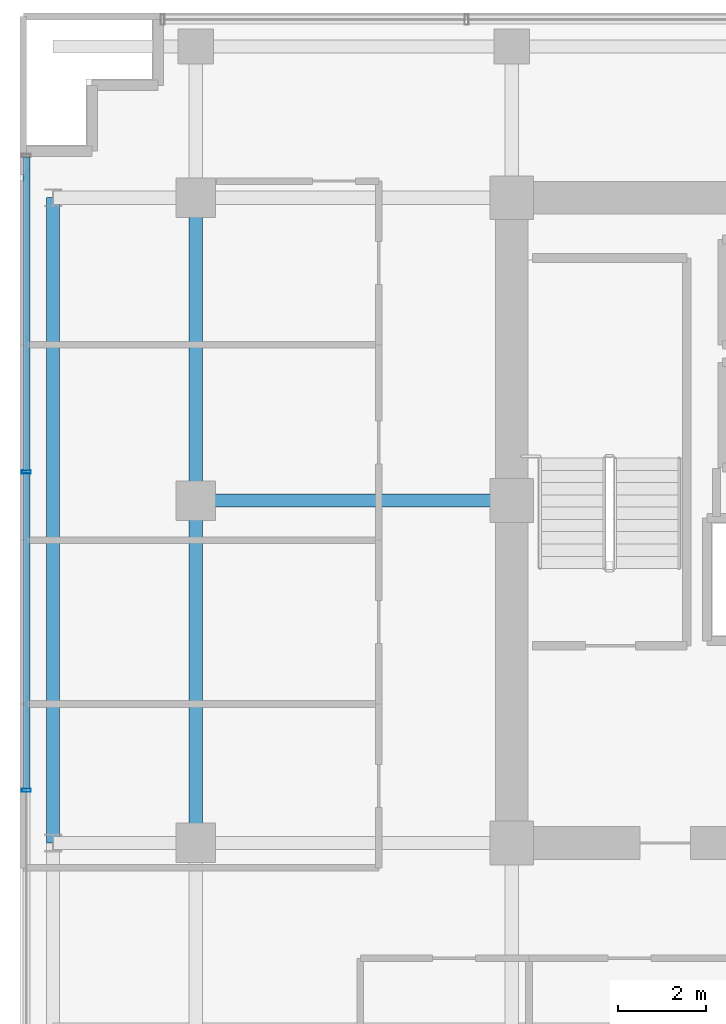
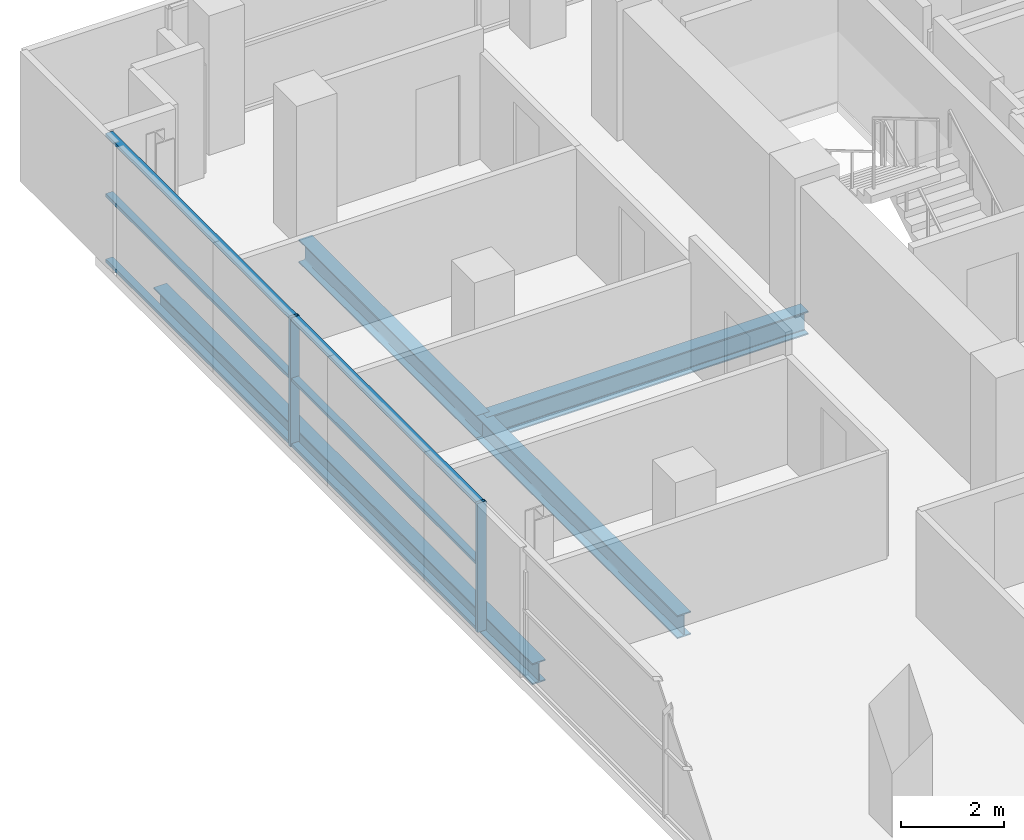
# One storey, part 9 of 24: 8 members, 4 beams, 1 element without a shape of its own.
"""IFC4 building model written with IfcOpenShell, lengths in metres."""

from ifc_helpers import new_model, si_unit, direction, frame, origin, origin_2d, place, context, subcontext, project, spatial, hollow_rectangle, i_section, extrude, source, transform, mapped, material, layer, layer_set, material_profile, profile_set, type_object, element, aggregate, save


model = new_model("IFC4")

# Units and contexts
model_context = context("Model", 3, precision=1e-05, world=origin(), true_north=direction((0.0, 1.0)))
body_context = subcontext(model_context, "Body", "Model", "MODEL_VIEW")
ifc_project = project(units=[si_unit("LENGTHUNIT", "METRE"), si_unit("AREAUNIT", "SQUARE_METRE"), si_unit("VOLUMEUNIT", "CUBIC_METRE"), si_unit("PLANEANGLEUNIT", "RADIAN"), si_unit("MASSUNIT", "GRAM", prefix="KILO")], contexts=[model_context])

# Site, building, storey
site_placement = place(None, origin())
site = spatial("IfcSite", under=ifc_project, at=site_placement, CompositionType="ELEMENT")
building_placement = place(site_placement, origin())
building = spatial("IfcBuilding", under=site, at=building_placement, Name="Zarnakvel Exchange Tower", CompositionType="ELEMENT")
storey_placement = place(building_placement, frame((0.0, 0.0, 119.800048828125)))
storey = spatial("IfcBuildingStorey", under=building, at=storey_placement, Name="L33", CompositionType="ELEMENT", Elevation=119.800048828125)

# Beams
ifc_material_1 = material(Name="Steel S355", Category="steel")
ifc_material_profile_1 = material_profile(ifc_material_1, i_section(OverallWidth=0.300048828125, OverallDepth=0.550048828125, WebThickness=0.014892578125, FlangeThickness=0.029052734375, FilletRadius=0.027099609375, at=origin_2d()))
ifc_profile_set_1 = profile_set([ifc_material_profile_1], Name="Steel S355")
beam_type_1 = type_object("IfcBeamType", Name="G-05", PredefinedType="BEAM", material=ifc_profile_set_1)
beam_1_placement = place(storey_placement, frame((-21.60009765625, 6.60009765625, -0.5), z_axis=(1.0, 0.0, 0.0), x_axis=(0.0, 1.0, 0.0)))
element("IfcBeam", 1, at=beam_1_placement, inside=storey, type_object=beam_type_1, Name="L33 Tower E-W Frame Beam", PredefinedType="BEAM", context=body_context, shape_type="SweptSolid", body=[
    extrude(i_section(OverallWidth=0.300048828125, OverallDepth=0.550048828125, WebThickness=0.014892578125, FlangeThickness=0.029052734375, FilletRadius=0.027099609375, at=origin_2d()), origin(), (0.0, 0.0, 1.0), 7.2001953125),
])
beam_2_placement = place(storey_placement, frame((-21.60009765625, -1.199951171875, -0.5), z_axis=(0.0, 1.0, 0.0), x_axis=(-1.0, 0.0, 0.0)))
element("IfcBeam", 2, at=beam_2_placement, inside=storey, type_object=beam_type_1, Name="L33 Tower N-S Frame Beam", PredefinedType="BEAM", context=body_context, shape_type="SweptSolid", body=[
    extrude(i_section(OverallWidth=0.300048828125, OverallDepth=0.550048828125, WebThickness=0.014892578125, FlangeThickness=0.029052734375, FilletRadius=0.027099609375, at=origin_2d()), origin(), (0.0, 0.0, 1.0), 7.800048828125),
])
beam_3_placement = place(storey_placement, frame((-21.60009765625, 6.60009765625, -0.5), z_axis=(0.0, 1.0, 0.0), x_axis=(-1.0, 0.0, 0.0)))
element("IfcBeam", 3, at=beam_3_placement, inside=storey, type_object=beam_type_1, Name="L33 Tower N-S Frame Beam", PredefinedType="BEAM", context=body_context, shape_type="SweptSolid", body=[
    extrude(i_section(OverallWidth=0.300048828125, OverallDepth=0.550048828125, WebThickness=0.014892578125, FlangeThickness=0.029052734375, FilletRadius=0.027099609375, at=origin_2d()), origin(), (0.0, 0.0, 1.0), 6.89990234375),
])
ifc_material_profile_2 = material_profile(ifc_material_1, i_section(OverallWidth=0.300048828125, OverallDepth=0.5, WebThickness=0.014404296875, FlangeThickness=0.028076171875, FilletRadius=0.027099609375, at=origin_2d()))
ifc_profile_set_2 = profile_set([ifc_material_profile_2], Name="Steel S355")
beam_type_2 = type_object("IfcBeamType", Name="SP-02", PredefinedType="SPANDREL", material=ifc_profile_set_2)
beam_4_placement = place(storey_placement, frame((-24.85009765625, -1.199951171875, -0.47509765625), z_axis=(0.0, 1.0, 0.0), x_axis=(-1.0, 0.0, 0.0)))
element("IfcBeam", 4, at=beam_4_placement, inside=storey, type_object=beam_type_2, Name="L33 Tower N-S Frame Beam", PredefinedType="SPANDREL", context=body_context, shape_type="SweptSolid", body=[
    extrude(i_section(OverallWidth=0.300048828125, OverallDepth=0.5, WebThickness=0.014404296875, FlangeThickness=0.028076171875, FilletRadius=0.027099609375, at=origin_2d()), origin(), (0.0, 0.0, 1.0), 14.699951171875),
])

# Curtain wall, members
ifc_material_2 = material(Name="Architectural Bronze Anodised Aluminium", Category="aluminium")
ifc_layer = layer(ifc_material_2, 0.199951171875)
ifc_layer_set = layer_set([ifc_layer], Name="Architectural Bronze Anodised Aluminium")
curtain_wall_type = type_object("IfcCurtainWallType", Name="CW-04", PredefinedType="NOTDEFINED", material=ifc_layer_set)
curtain_wall_placement = place(storey_placement, origin())
curtain_wall = element("IfcCurtainWall", 5, at=curtain_wall_placement, inside=storey, type_object=curtain_wall_type, Name="L33 Curtain Wall CW-L33-W1 (CW-04)", PredefinedType="NOTDEFINED")
ifc_material_profile_3 = material_profile(ifc_material_2, hollow_rectangle(XDim=0.199951171875, YDim=0.074951171875, WallThickness=0.0048828125, at=origin_2d()))
ifc_profile_set_3 = profile_set([ifc_material_profile_3], Name="Architectural Bronze Anodised Aluminium")
member_type_1 = type_object("IfcMemberType", Name="CWM-04", PredefinedType="MULLION", material=ifc_profile_set_3)
shared_shape_1 = source(origin(), body_context, "Body", "SweptSolid", [
    extrude(hollow_rectangle(XDim=0.199951171875, YDim=0.074951171875, WallThickness=0.0048828125, at=origin_2d()), origin(), (0.0, 0.0, 1.0), 3.054931640625),
])
member_1_placement = place(storey_placement, frame((-25.4599609375, 0.0, 0.0), z_axis=(0.0, 0.0, 1.0), x_axis=(-1.0, 0.0, 0.0)))
member_1 = element("IfcMember", 6, at=member_1_placement, type_object=member_type_1, Name="CW-04 mullion 3", PredefinedType="MULLION", context=body_context, shape_type="MappedRepresentation", body=[
    mapped(shared_shape_1, transform((0.0, 0.0, 0.0), x_axis=(1.0, 0.0, 0.0), y_axis=(0.0, 1.0, 0.0), z_axis=(0.0, 0.0, 1.0), scale=1.0)),
])
member_2_placement = place(storey_placement, frame((-25.4599609375, 7.25, 0.0), z_axis=(0.0, 0.0, 1.0), x_axis=(-1.0, 0.0, 0.0)))
member_2 = element("IfcMember", 7, at=member_2_placement, type_object=member_type_1, Name="CW-04 mullion 4", PredefinedType="MULLION", context=body_context, shape_type="MappedRepresentation", body=[
    mapped(shared_shape_1, transform((0.0, 0.0, 0.0), x_axis=(1.0, 0.0, 0.0), y_axis=(0.0, 1.0, 0.0), z_axis=(0.0, 0.0, 1.0), scale=1.0)),
])
ifc_material_profile_4 = material_profile(ifc_material_2, hollow_rectangle(XDim=0.159912109375, YDim=0.074951171875, WallThickness=0.00390625, at=origin_2d()))
ifc_profile_set_4 = profile_set([ifc_material_profile_4], Name="Architectural Bronze Anodised Aluminium")
member_type_2 = type_object("IfcMemberType", Name="CWT-04", PredefinedType="USERDEFINED", material=ifc_profile_set_4)
shared_shape_2 = source(origin(), body_context, "Body", "SweptSolid", [
    extrude(hollow_rectangle(XDim=0.159912109375, YDim=0.074951171875, WallThickness=0.00390625, at=origin_2d()), origin(), (0.0, 0.0, 1.0), 7.137451171875),
])
member_3_placement = place(storey_placement, frame((-25.4599609375, 7.28759765625, 0.037353515625), z_axis=(0.0, 1.0, 0.0), x_axis=(-1.0, 0.0, 0.0)))
member_3 = element("IfcMember", 8, at=member_3_placement, type_object=member_type_2, Name="CW-04 transom 4.1", ObjectType="TRANSOM", PredefinedType="USERDEFINED", context=body_context, shape_type="MappedRepresentation", body=[
    mapped(shared_shape_2, transform((0.0, 0.0, 0.0), x_axis=(1.0, 0.0, 0.0), y_axis=(0.0, 1.0, 0.0), z_axis=(0.0, 0.0, 1.0), scale=1.0)),
])
member_4_placement = place(storey_placement, frame((-25.4599609375, 7.28759765625, 1.588623046875), z_axis=(0.0, 1.0, 0.0), x_axis=(-1.0, 0.0, 0.0)))
member_4 = element("IfcMember", 9, at=member_4_placement, type_object=member_type_2, Name="CW-04 transom 4.2", ObjectType="TRANSOM", PredefinedType="USERDEFINED", context=body_context, shape_type="MappedRepresentation", body=[
    mapped(shared_shape_2, transform((0.0, 0.0, 0.0), x_axis=(1.0, 0.0, 0.0), y_axis=(0.0, 1.0, 0.0), z_axis=(0.0, 0.0, 1.0), scale=1.0)),
])
member_5_placement = place(storey_placement, frame((-25.4599609375, 7.28759765625, 3.017333984375), z_axis=(0.0, 1.0, 0.0), x_axis=(-1.0, 0.0, 0.0)))
member_5 = element("IfcMember", 10, at=member_5_placement, type_object=member_type_2, Name="CW-04 transom 4.3", ObjectType="TRANSOM", PredefinedType="USERDEFINED", context=body_context, shape_type="MappedRepresentation", body=[
    mapped(shared_shape_2, transform((0.0, 0.0, 0.0), x_axis=(1.0, 0.0, 0.0), y_axis=(0.0, 1.0, 0.0), z_axis=(0.0, 0.0, 1.0), scale=1.0)),
])
shared_shape_3 = source(origin(), body_context, "Body", "SweptSolid", [
    extrude(hollow_rectangle(XDim=0.159912109375, YDim=0.074951171875, WallThickness=0.00390625, at=origin_2d()), origin(), (0.0, 0.0, 1.0), 7.1748046875),
])
member_6_placement = place(storey_placement, frame((-25.4599609375, 0.03759765625, 0.037353515625), z_axis=(0.0, 1.0, 0.0), x_axis=(-1.0, 0.0, 0.0)))
member_6 = element("IfcMember", 11, at=member_6_placement, type_object=member_type_2, Name="CW-04 transom 3.1", ObjectType="TRANSOM", PredefinedType="USERDEFINED", context=body_context, shape_type="MappedRepresentation", body=[
    mapped(shared_shape_3, transform((0.0, 0.0, 0.0), x_axis=(1.0, 0.0, 0.0), y_axis=(0.0, 1.0, 0.0), z_axis=(0.0, 0.0, 1.0), scale=1.0)),
])
member_7_placement = place(storey_placement, frame((-25.4599609375, 0.03759765625, 1.588623046875), z_axis=(0.0, 1.0, 0.0), x_axis=(-1.0, 0.0, 0.0)))
member_7 = element("IfcMember", 12, at=member_7_placement, type_object=member_type_2, Name="CW-04 transom 3.2", ObjectType="TRANSOM", PredefinedType="USERDEFINED", context=body_context, shape_type="MappedRepresentation", body=[
    mapped(shared_shape_3, transform((0.0, 0.0, 0.0), x_axis=(1.0, 0.0, 0.0), y_axis=(0.0, 1.0, 0.0), z_axis=(0.0, 0.0, 1.0), scale=1.0)),
])
member_8_placement = place(storey_placement, frame((-25.4599609375, 0.03759765625, 3.017333984375), z_axis=(0.0, 1.0, 0.0), x_axis=(-1.0, 0.0, 0.0)))
member_8 = element("IfcMember", 13, at=member_8_placement, type_object=member_type_2, Name="CW-04 transom 3.3", ObjectType="TRANSOM", PredefinedType="USERDEFINED", context=body_context, shape_type="MappedRepresentation", body=[
    mapped(shared_shape_3, transform((0.0, 0.0, 0.0), x_axis=(1.0, 0.0, 0.0), y_axis=(0.0, 1.0, 0.0), z_axis=(0.0, 0.0, 1.0), scale=1.0)),
])
aggregate(curtain_wall, [member_1, member_2, member_6, member_7, member_8, member_3, member_4, member_5])

save(model, "model.ifc")
